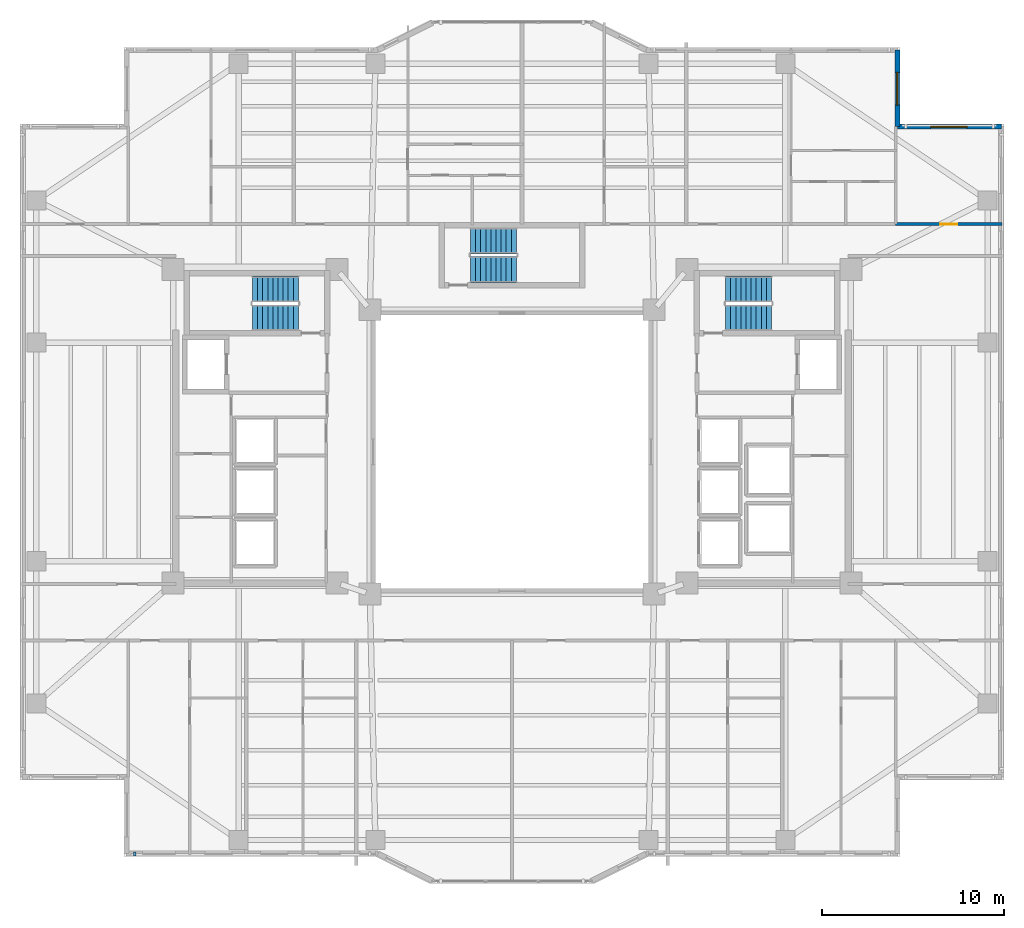
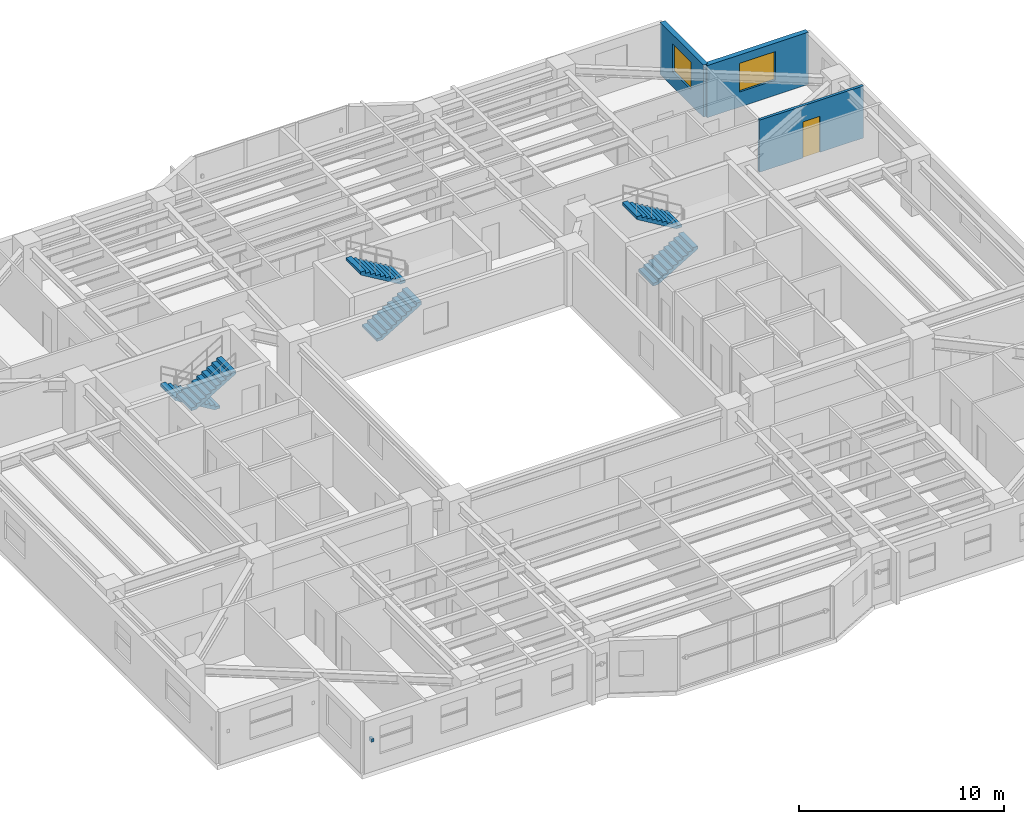
# One storey, part 11 of 18: 6 stair flights, 3 walls, 2 windows, 1 discrete accessory, 1 door, 3 openings, 3 elements without a shape of their own.
"""IFC4 building model written with IfcOpenShell, lengths in metres."""

from ifc_helpers import new_model, si_unit, direction, frame, frame_2d, origin, origin_2d, place, context, subcontext, project, spatial, polyline, rectangle, outline, extrude, material, layer, layer_set, type_object, element, fill, aggregate, save


model = new_model("IFC4")

# Units and contexts
model_context = context("Model", 3, precision=1e-05, world=origin(), true_north=direction((0.0, 1.0)))
body_context = subcontext(model_context, "Body", "Model", "MODEL_VIEW")
ifc_project = project(units=[si_unit("LENGTHUNIT", "METRE"), si_unit("AREAUNIT", "SQUARE_METRE"), si_unit("VOLUMEUNIT", "CUBIC_METRE"), si_unit("PLANEANGLEUNIT", "RADIAN"), si_unit("MASSUNIT", "GRAM", prefix="KILO")], contexts=[model_context])

# Site, building, storey
site_placement = place(None, origin())
site = spatial("IfcSite", under=ifc_project, at=site_placement, CompositionType="ELEMENT")
building_placement = place(site_placement, origin())
building = spatial("IfcBuilding", under=site, at=building_placement, Name="Tarnavaz Court Tower", CompositionType="ELEMENT")
storey_placement = place(building_placement, frame((0.0, 0.0, 101.75)))
storey = spatial("IfcBuildingStorey", under=building, at=storey_placement, Name="L27", CompositionType="ELEMENT", Elevation=101.75)

# Wall, opening, window
ifc_material_1 = material(Name="Precast Concrete C40/50", Category="concrete")
ifc_layer_1 = layer(ifc_material_1, 0.280029296875)
ifc_layer_set_1 = layer_set([ifc_layer_1], Name="Precast Concrete C40/50")
wall_type_1 = type_object("IfcWallType", Name="WL-EXT-280", PredefinedType="SOLIDWALL", material=ifc_layer_set_1)
wall_1_placement = place(storey_placement, frame((21.14990234375, 22.050048828125, 0.0), z_axis=(0.0, 0.0, 1.0), x_axis=(0.0, -1.0, 0.0)))
wall_1 = element("IfcWall", 1, at=wall_1_placement, inside=storey, type_object=wall_type_1, Name="L27 Exterior Terracotta Facade Wall 10", PredefinedType="SOLIDWALL", context=body_context, shape_type="SweptSolid", body=[
    extrude(rectangle(XDim=4.199951171875, YDim=0.280029296875, at=frame_2d((2.10009765625, 0.0))), origin(), (0.0, 0.0, 1.0), 3.10009765625),
])
opening_1_placement = place(wall_1_placement, frame((1.2177734375, 0.0, 0.89990234375)))
opening_1 = element("IfcOpeningElement", 2, at=opening_1_placement, cuts=wall_1, Name="Opening W01", PredefinedType="OPENING", context=body_context, shape_type="SweptSolid", body=[
    extrude(rectangle(XDim=1.800048828125, YDim=1.64990234375, at=frame_2d((0.89990234375, 0.824951171875))), frame((0.0, 0.14990234375, 0.0), z_axis=(0.0, -1.0, 0.0), x_axis=(1.0, 0.0, 0.0)), (0.0, 0.0, 1.0), 0.300048828125),
])
ifc_material_2 = material(Name="Double-Glazed Solar Low-E Glass", Category="glass")
window_type_1 = type_object("IfcWindowType", Name="WN-APT-1800", PartitioningType="DOUBLE_PANEL_VERTICAL", PredefinedType="WINDOW", material=ifc_material_2)
window_1_placement = place(opening_1_placement, origin())
window_1 = element("IfcWindow", 3, at=window_1_placement, inside=storey, type_object=window_type_1, Name="L27 Flat 04 Bedroom 1 Window", OverallHeight=1.64990234375, OverallWidth=1.800048828125, PartitioningType="SINGLE_PANEL", PredefinedType="WINDOW", context=body_context, shape_type="SweptSolid", body=[
    extrude(rectangle(XDim=1.800048828125, YDim=1.64990234375, at=frame_2d((0.89990234375, 0.824951171875))), frame((0.0, 0.030029296875, 0.0), z_axis=(0.0, -1.0, 0.0), x_axis=(1.0, 0.0, 0.0)), (0.0, 0.0, 1.0), 0.06005859375),
])
fill(opening_1, window_1)

wall_2_placement = place(storey_placement, frame((21.14990234375, 17.85009765625, 0.0), z_axis=(0.0, 0.0, 1.0), x_axis=(1.0, 0.0, 0.0)))
wall_2 = element("IfcWall", 4, at=wall_2_placement, inside=storey, type_object=wall_type_1, Name="L27 Exterior Terracotta Facade Wall 11", PredefinedType="SOLIDWALL", context=body_context, shape_type="SweptSolid", body=[
    extrude(rectangle(XDim=5.7001953125, YDim=0.280029296875, at=frame_2d((2.85009765625, 0.0))), origin(), (0.0, 0.0, 1.0), 3.10009765625),
])
opening_2_placement = place(wall_2_placement, frame((1.824951171875, 0.0, 0.89990234375)))
opening_2 = element("IfcOpeningElement", 5, at=opening_2_placement, cuts=wall_2, Name="Opening W08", PredefinedType="OPENING", context=body_context, shape_type="SweptSolid", body=[
    extrude(rectangle(XDim=2.0, YDim=1.699951171875, at=frame_2d((1.0, 0.85009765625))), frame((0.0, 0.14990234375, 0.0), z_axis=(0.0, -1.0, 0.0), x_axis=(1.0, 0.0, 0.0)), (0.0, 0.0, 1.0), 0.300048828125),
])
window_type_2 = type_object("IfcWindowType", Name="WN-APT-2000", PartitioningType="DOUBLE_PANEL_VERTICAL", PredefinedType="WINDOW", material=ifc_material_2)
window_2_placement = place(opening_2_placement, origin())
window_2 = element("IfcWindow", 6, at=window_2_placement, inside=storey, type_object=window_type_2, Name="L27 North-East Corner Sunroom Study Window", OverallHeight=1.699951171875, OverallWidth=2.0, PartitioningType="SINGLE_PANEL", PredefinedType="WINDOW", context=body_context, shape_type="SweptSolid", body=[
    extrude(rectangle(XDim=2.0, YDim=1.699951171875, at=frame_2d((1.0, 0.85009765625))), frame((0.0, 0.030029296875, 0.0), z_axis=(0.0, -1.0, 0.0), x_axis=(1.0, 0.0, 0.0)), (0.0, 0.0, 1.0), 0.06005859375),
])
fill(opening_2, window_2)

# Wall, opening, door
ifc_material_3 = material(Name="Gypsum Fire-Board on Acoustic Metal Stud", Category="masonry")
ifc_layer_2 = layer(ifc_material_3, 0.14990234375)
ifc_layer_set_2 = layer_set([ifc_layer_2], Name="Gypsum Fire-Board on Acoustic Metal Stud")
wall_type_2 = type_object("IfcWallType", Name="WL-FIRE-150", PredefinedType="PARTITIONING", material=ifc_layer_set_2)
wall_3_placement = place(storey_placement, frame((21.050048828125, 12.5, 0.0), z_axis=(0.0, 0.0, 1.0), x_axis=(1.0, 0.0, 0.0)))
wall_3 = element("IfcWall", 7, at=wall_3_placement, inside=storey, type_object=wall_type_2, Name="L27 Interior Partition 122", PredefinedType="PARTITIONING", context=body_context, shape_type="SweptSolid", body=[
    extrude(rectangle(XDim=5.829833984375, YDim=0.14990234375, at=frame_2d((2.9150390625, 0.0))), origin(), (0.0, 0.0, 1.0), 3.10009765625),
])
opening_3_placement = place(wall_3_placement, frame((2.43994140625, 0.0, 0.0)))
opening_3 = element("IfcOpeningElement", 8, at=opening_3_placement, cuts=wall_3, Name="Opening D13", PredefinedType="OPENING", context=body_context, shape_type="SweptSolid", body=[
    extrude(rectangle(XDim=0.949951171875, YDim=2.14990234375, at=frame_2d((0.47509765625, 1.074951171875))), frame((0.0, 0.0849609375, 0.0), z_axis=(0.0, -1.0, 0.0), x_axis=(1.0, 0.0, 0.0)), (0.0, 0.0, 1.0), 0.169921875),
])
ifc_material_4 = material(Name="Engineered Oak Timber", Category="wood")
door_type = type_object("IfcDoorType", Name="DR-INT-950", OperationType="NOTDEFINED", PredefinedType="DOOR", material=ifc_material_4)
door_placement = place(opening_3_placement, origin())
door = element("IfcDoor", 9, at=door_placement, inside=storey, type_object=door_type, Name="L27 NE Sunroom Door", OperationType="SINGLE_SWING_LEFT", OverallHeight=2.14990234375, OverallWidth=0.949951171875, PredefinedType="DOOR", context=body_context, shape_type="SweptSolid", body=[
    extrude(rectangle(XDim=0.949951171875, YDim=2.14990234375, at=frame_2d((0.47509765625, 1.074951171875))), frame((0.0, 0.02490234375, 0.0), z_axis=(0.0, -1.0, 0.0), x_axis=(1.0, 0.0, 0.0)), (0.0, 0.0, 1.0), 0.050048828125),
])
fill(opening_3, door)

# Stair, stair flights
ifc_material_5 = material(Name="Concrete C40/50", Category="concrete")
stair_type = type_object("IfcStairType", Name="ST-TWR-20R", PredefinedType="HALF_TURN_STAIR", material=ifc_material_5)
stair_1_placement = place(storey_placement, origin())
stair_1 = element("IfcStair", 10, at=stair_1_placement, inside=storey, type_object=stair_type, Name="L27 West Core Pressurized Exit Stair ST-W1", PredefinedType="HALF_TURN_STAIR")
stair_flight_type = type_object("IfcStairFlightType", Name="SFL-RC-20R", PredefinedType="STRAIGHT", material=ifc_material_5)
stair_flight_1_placement = place(storey_placement, frame((-11.719970703125, 8.929931640625, 0.0), z_axis=(0.0, 0.0, 1.0), x_axis=(-1.0, 0.0, 0.0)))
stair_flight_1 = element("IfcStairFlight", 11, at=stair_flight_1_placement, type_object=stair_flight_type, Name="ST-W1 flight 1", NumberOfRisers=10, NumberOfTreads=9, PredefinedType="STRAIGHT", RiserHeight=0.1675, TreadLength=0.28, context=body_context, shape_type="SweptSolid", body=[
    extrude(outline(polyline([(0.0, 0.0), (0.0, 0.16748046875), (0.280029296875, 0.16748046875), (0.280029296875, 0.3349609375), (0.56005859375, 0.3349609375), (0.56005859375, 0.50244140625), (0.840087890625, 0.50244140625), (0.840087890625, 0.669921875), (1.1201171875, 0.669921875), (1.1201171875, 0.83740234375), (1.39990234375, 0.83740234375), (1.39990234375, 1.0048828125), (1.679931640625, 1.0048828125), (1.679931640625, 1.172607421875), (1.9599609375, 1.172607421875), (1.9599609375, 1.340087890625), (2.239990234375, 1.340087890625), (2.239990234375, 1.507568359375), (2.52001953125, 1.507568359375), (2.52001953125, 1.675048828125), (2.52001953125, 1.332763671875), (0.2919921875, 0.0), (0.0, 0.0)])), frame((0.0, 0.7099609375, 0.0), z_axis=(0.0, -1.0, 0.0), x_axis=(1.0, 0.0, 0.0)), (0.0, 0.0, 1.0), 1.419921875),
])
stair_flight_2_placement = place(storey_placement, frame((-14.239990234375, 7.360107421875, 1.675048828125), z_axis=(0.0, 0.0, 1.0), x_axis=(1.0, 0.0, 0.0)))
stair_flight_2 = element("IfcStairFlight", 12, at=stair_flight_2_placement, type_object=stair_flight_type, Name="ST-W1 flight 2", NumberOfRisers=10, NumberOfTreads=9, PredefinedType="STRAIGHT", RiserHeight=0.1675, TreadLength=0.28, context=body_context, shape_type="SweptSolid", body=[
    extrude(outline(polyline([(0.0, 0.0), (0.0, 0.16748046875), (0.280029296875, 0.16748046875), (0.280029296875, 0.3349609375), (0.56005859375, 0.3349609375), (0.56005859375, 0.50244140625), (0.840087890625, 0.50244140625), (0.840087890625, 0.669921875), (1.1201171875, 0.669921875), (1.1201171875, 0.83740234375), (1.39990234375, 0.83740234375), (1.39990234375, 1.0048828125), (1.679931640625, 1.0048828125), (1.679931640625, 1.172607421875), (1.9599609375, 1.172607421875), (1.9599609375, 1.340087890625), (2.239990234375, 1.340087890625), (2.239990234375, 1.507568359375), (2.52001953125, 1.507568359375), (2.52001953125, 1.675048828125), (2.52001953125, 1.332763671875), (0.2919921875, 0.0), (0.0, 0.0)])), frame((0.0, 0.7099609375, 0.0), z_axis=(0.0, -1.0, 0.0), x_axis=(1.0, 0.0, 0.0)), (0.0, 0.0, 1.0), 1.419921875),
])
aggregate(stair_1, [stair_flight_1, stair_flight_2])

stair_2_placement = place(storey_placement, origin())
stair_2 = element("IfcStair", 13, at=stair_2_placement, inside=storey, type_object=stair_type, Name="L27 East Core Pressurized Exit Stair ST-E1", PredefinedType="HALF_TURN_STAIR")
stair_flight_3_placement = place(storey_placement, frame((11.719970703125, 7.360107421875, 0.0), z_axis=(0.0, 0.0, 1.0), x_axis=(1.0, 0.0, 0.0)))
stair_flight_3 = element("IfcStairFlight", 14, at=stair_flight_3_placement, type_object=stair_flight_type, Name="ST-E1 flight 1", NumberOfRisers=10, NumberOfTreads=9, PredefinedType="STRAIGHT", RiserHeight=0.1675, TreadLength=0.28, context=body_context, shape_type="SweptSolid", body=[
    extrude(outline(polyline([(0.0, 0.0), (0.0, 0.16748046875), (0.280029296875, 0.16748046875), (0.280029296875, 0.3349609375), (0.56005859375, 0.3349609375), (0.56005859375, 0.50244140625), (0.840087890625, 0.50244140625), (0.840087890625, 0.669921875), (1.1201171875, 0.669921875), (1.1201171875, 0.83740234375), (1.39990234375, 0.83740234375), (1.39990234375, 1.0048828125), (1.679931640625, 1.0048828125), (1.679931640625, 1.172607421875), (1.9599609375, 1.172607421875), (1.9599609375, 1.340087890625), (2.239990234375, 1.340087890625), (2.239990234375, 1.507568359375), (2.52001953125, 1.507568359375), (2.52001953125, 1.675048828125), (2.52001953125, 1.332763671875), (0.2919921875, 0.0), (0.0, 0.0)])), frame((0.0, 0.7099609375, 0.0), z_axis=(0.0, -1.0, 0.0), x_axis=(1.0, 0.0, 0.0)), (0.0, 0.0, 1.0), 1.419921875),
])
stair_flight_4_placement = place(storey_placement, frame((14.239990234375, 8.929931640625, 1.675048828125), z_axis=(0.0, 0.0, 1.0), x_axis=(-1.0, 0.0, 0.0)))
stair_flight_4 = element("IfcStairFlight", 15, at=stair_flight_4_placement, type_object=stair_flight_type, Name="ST-E1 flight 2", NumberOfRisers=10, NumberOfTreads=9, PredefinedType="STRAIGHT", RiserHeight=0.1675, TreadLength=0.28, context=body_context, shape_type="SweptSolid", body=[
    extrude(outline(polyline([(0.0, 0.0), (0.0, 0.16748046875), (0.280029296875, 0.16748046875), (0.280029296875, 0.3349609375), (0.56005859375, 0.3349609375), (0.56005859375, 0.50244140625), (0.840087890625, 0.50244140625), (0.840087890625, 0.669921875), (1.1201171875, 0.669921875), (1.1201171875, 0.83740234375), (1.39990234375, 0.83740234375), (1.39990234375, 1.0048828125), (1.679931640625, 1.0048828125), (1.679931640625, 1.172607421875), (1.9599609375, 1.172607421875), (1.9599609375, 1.340087890625), (2.239990234375, 1.340087890625), (2.239990234375, 1.507568359375), (2.52001953125, 1.507568359375), (2.52001953125, 1.675048828125), (2.52001953125, 1.332763671875), (0.2919921875, 0.0), (0.0, 0.0)])), frame((0.0, 0.7099609375, 0.0), z_axis=(0.0, -1.0, 0.0), x_axis=(1.0, 0.0, 0.0)), (0.0, 0.0, 1.0), 1.419921875),
])
aggregate(stair_2, [stair_flight_3, stair_flight_4])

stair_3_placement = place(storey_placement, origin())
stair_3 = element("IfcStair", 16, at=stair_3_placement, inside=storey, type_object=stair_type, Name="L27 North Ring Pressurized Exit Stair ST-N1", PredefinedType="HALF_TURN_STAIR")
stair_flight_5_placement = place(storey_placement, frame((-2.280029296875, 10.010009765625, 0.0), z_axis=(0.0, 0.0, 1.0), x_axis=(1.0, 0.0, 0.0)))
stair_flight_5 = element("IfcStairFlight", 17, at=stair_flight_5_placement, type_object=stair_flight_type, Name="ST-N1 flight 1", NumberOfRisers=10, NumberOfTreads=9, PredefinedType="STRAIGHT", RiserHeight=0.1675, TreadLength=0.28, context=body_context, shape_type="SweptSolid", body=[
    extrude(outline(polyline([(0.0, 0.0), (0.0, 0.16748046875), (0.280029296875, 0.16748046875), (0.280029296875, 0.3349609375), (0.56005859375, 0.3349609375), (0.56005859375, 0.50244140625), (0.840087890625, 0.50244140625), (0.840087890625, 0.669921875), (1.1201171875, 0.669921875), (1.1201171875, 0.83740234375), (1.39990234375, 0.83740234375), (1.39990234375, 1.0048828125), (1.679931640625, 1.0048828125), (1.679931640625, 1.172607421875), (1.9599609375, 1.172607421875), (1.9599609375, 1.340087890625), (2.239990234375, 1.340087890625), (2.239990234375, 1.507568359375), (2.52001953125, 1.507568359375), (2.52001953125, 1.675048828125), (2.52001953125, 1.332763671875), (0.2919921875, 0.0), (0.0, 0.0)])), frame((0.0, 0.7099609375, 0.0), z_axis=(0.0, -1.0, 0.0), x_axis=(1.0, 0.0, 0.0)), (0.0, 0.0, 1.0), 1.419921875),
])
stair_flight_6_placement = place(storey_placement, frame((0.239990234375, 11.580078125, 1.675048828125), z_axis=(0.0, 0.0, 1.0), x_axis=(-1.0, 0.0, 0.0)))
stair_flight_6 = element("IfcStairFlight", 18, at=stair_flight_6_placement, type_object=stair_flight_type, Name="ST-N1 flight 2", NumberOfRisers=10, NumberOfTreads=9, PredefinedType="STRAIGHT", RiserHeight=0.1675, TreadLength=0.28, context=body_context, shape_type="SweptSolid", body=[
    extrude(outline(polyline([(0.0, 0.0), (0.0, 0.16748046875), (0.280029296875, 0.16748046875), (0.280029296875, 0.3349609375), (0.56005859375, 0.3349609375), (0.56005859375, 0.50244140625), (0.840087890625, 0.50244140625), (0.840087890625, 0.669921875), (1.1201171875, 0.669921875), (1.1201171875, 0.83740234375), (1.39990234375, 0.83740234375), (1.39990234375, 1.0048828125), (1.679931640625, 1.0048828125), (1.679931640625, 1.172607421875), (1.9599609375, 1.172607421875), (1.9599609375, 1.340087890625), (2.239990234375, 1.340087890625), (2.239990234375, 1.507568359375), (2.52001953125, 1.507568359375), (2.52001953125, 1.675048828125), (2.52001953125, 1.332763671875), (0.2919921875, 0.0), (0.0, 0.0)])), frame((0.0, 0.7099609375, 0.0), z_axis=(0.0, -1.0, 0.0), x_axis=(1.0, 0.0, 0.0)), (0.0, 0.0, 1.0), 1.419921875),
])
aggregate(stair_3, [stair_flight_5, stair_flight_6])

# Discrete accessory
ifc_material_6 = material(Name="Anodised Aluminium 6063-T6", Category="aluminium")
discrete_accessory_type = type_object("IfcDiscreteAccessoryType", Name="DA-BRKT-ALU", PredefinedType="BRACKET", material=ifc_material_6)
discrete_accessory_placement = place(storey_placement, frame((-20.699951171875, -22.070068359375, 1.75), z_axis=(0.0, 0.0, 1.0), x_axis=(-1.0, 0.0, 0.0)))
element("IfcDiscreteAccessory", 19, at=discrete_accessory_placement, inside=storey, type_object=discrete_accessory_type, Name="L27 Baguette Outrigger Bracket FBG19-2", PredefinedType="BRACKET", context=body_context, shape_type="SweptSolid", body=[
    extrude(rectangle(XDim=0.139892578125, YDim=0.239990234375, at=origin_2d()), origin(), (0.0, 0.0, 1.0), 0.199951171875),
])

save(model, "model.ifc")
